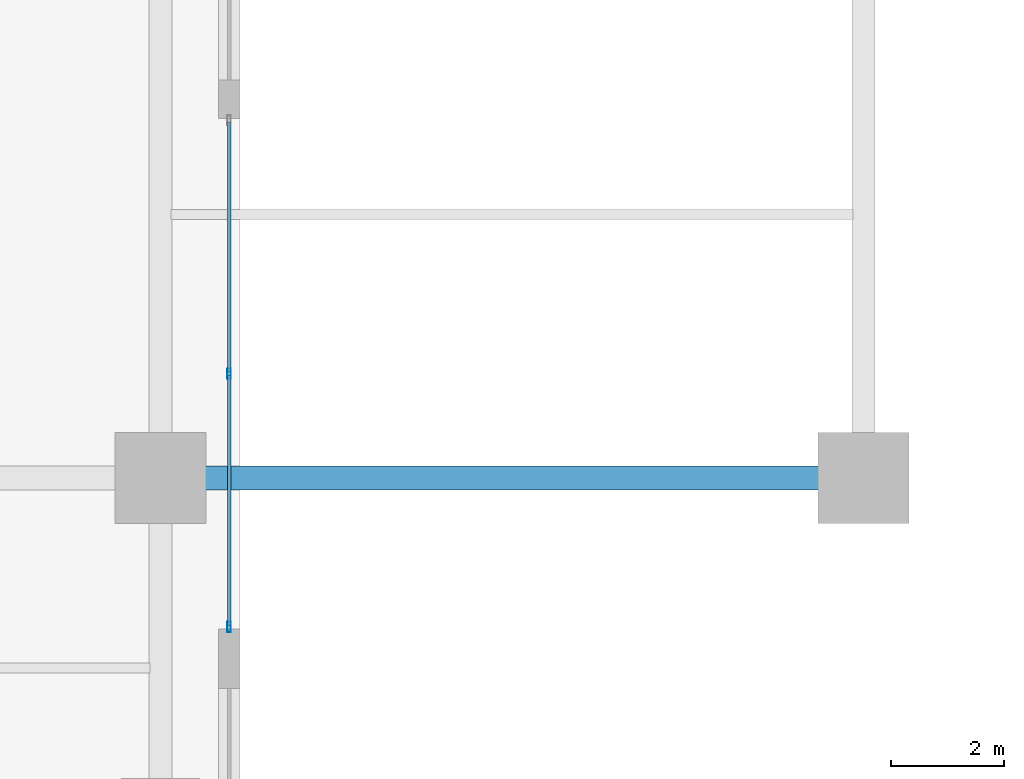
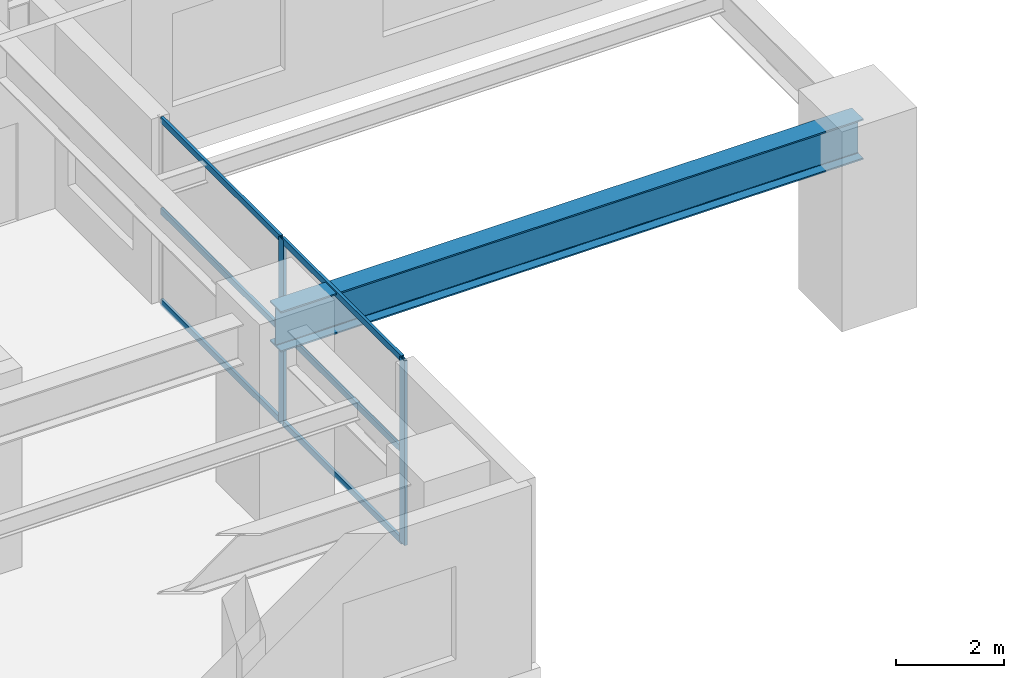
# One storey, part 2 of 26: 8 members, 1 beam, 1 element without a shape of its own.
"""IFC4 building model written with IfcOpenShell, lengths in metres."""

from ifc_helpers import new_model, si_unit, direction, frame, origin, origin_2d, place, context, subcontext, project, spatial, hollow_rectangle, i_section, extrude, source, transform, mapped, material, layer, layer_set, material_profile, profile_set, type_object, element, aggregate, save


model = new_model("IFC4")

# Units and contexts
model_context = context("Model", 3, precision=1e-05, world=origin(), true_north=direction((0.0, 1.0)))
body_context = subcontext(model_context, "Body", "Model", "MODEL_VIEW")
ifc_project = project(units=[si_unit("LENGTHUNIT", "METRE"), si_unit("AREAUNIT", "SQUARE_METRE"), si_unit("VOLUMEUNIT", "CUBIC_METRE"), si_unit("PLANEANGLEUNIT", "RADIAN"), si_unit("MASSUNIT", "GRAM", prefix="KILO")], contexts=[model_context])

# Site, building, storey
site_placement = place(None, origin())
site = spatial("IfcSite", under=ifc_project, at=site_placement, CompositionType="ELEMENT")
building_placement = place(site_placement, origin())
building = spatial("IfcBuilding", under=site, at=building_placement, Name="Khoralis Quay Care Tower", CompositionType="ELEMENT")
storey_placement = place(building_placement, frame((0.0, 0.0, 13.5)))
storey = spatial("IfcBuildingStorey", under=building, at=storey_placement, Name="L03", CompositionType="ELEMENT", Elevation=13.5)

# Beam
ifc_material_1 = material(Name="Steel S355", Category="steel")
ifc_material_profile_1 = material_profile(ifc_material_1, i_section(OverallWidth=0.41796875, OverallDepth=0.912109375, WebThickness=0.019287109375, FlangeThickness=0.031982421875, FilletRadius=0.02392578125, at=origin_2d()), Name="Steel S355")
ifc_profile_set_1 = profile_set([ifc_material_profile_1], Name="Steel S355")
beam_type = type_object("IfcBeamType", Name="BM-W920X342", PredefinedType="BEAM", material=ifc_profile_set_1)
shared_shape_1 = source(origin(), body_context, "Body", "SweptSolid", [
    extrude(i_section(OverallWidth=0.41796875, OverallDepth=0.912109375, WebThickness=0.019287109375, FlangeThickness=0.031982421875, FilletRadius=0.02392578125, at=origin_2d()), origin(), (0.0, 0.0, 1.0), 12.39990234375),
])
beam_placement = place(storey_placement, frame((34.60009765625, 1.35009765625, 3.7041015625), z_axis=(1.0, 0.0, 0.0), x_axis=(0.0, 1.0, 0.0)))
element("IfcBeam", 1, at=beam_placement, inside=storey, type_object=beam_type, Name="BM-PODX-L03-07", PredefinedType="BEAM", context=body_context, shape_type="MappedRepresentation", body=[
    mapped(shared_shape_1, transform((0.0, 0.0, 0.0), scale=1.0)),
])

# Curtain wall, members
ifc_material_2 = material(Name="Pale anodised aluminium", Category="aluminium")
ifc_layer = layer(ifc_material_2, 0.179931640625)
ifc_layer_set = layer_set([ifc_layer], Name="Pale anodised aluminium")
curtain_wall_type = type_object("IfcCurtainWallType", Name="CW-SYS-Z1", PredefinedType="NOTDEFINED", material=ifc_layer_set)
curtain_wall_placement = place(storey_placement, origin())
curtain_wall = element("IfcCurtainWall", 2, at=curtain_wall_placement, inside=storey, type_object=curtain_wall_type, Name="L03 Unitised Curtain Wall CW-POD-L03-E1", PredefinedType="NOTDEFINED")
ifc_material_profile_2 = material_profile(ifc_material_2, hollow_rectangle(XDim=0.06494140625, YDim=0.179931640625, WallThickness=0.00390625, at=origin_2d()), Name="Pale anodised aluminium")
ifc_profile_set_2 = profile_set([ifc_material_profile_2], Name="Pale anodised aluminium")
member_type_1 = type_object("IfcMemberType", Name="CW-MUL-180", PredefinedType="MULLION", material=ifc_profile_set_2)
shared_shape_2 = source(origin(), body_context, "Body", "SweptSolid", [
    extrude(hollow_rectangle(XDim=0.06494140625, YDim=0.179931640625, WallThickness=0.00390625, at=origin_2d()), origin(), (0.0, 0.0, 1.0), 4.159912109375),
])
member_1_placement = place(storey_placement, frame((35.81005859375, -1.280029296875, 0.0), z_axis=(0.0, 0.0, 1.0), x_axis=(-1.0, 0.0, 0.0)))
member_1 = element("IfcMember", 3, at=member_1_placement, type_object=member_type_1, Name="CW1 mullion 1", PredefinedType="MULLION", context=body_context, shape_type="MappedRepresentation", body=[
    mapped(shared_shape_2, transform((0.0, 0.0, 0.0), scale=1.0)),
])
member_2_placement = place(storey_placement, frame((35.81005859375, 3.18994140625, 0.0), z_axis=(0.0, 0.0, 1.0), x_axis=(-1.0, 0.0, 0.0)))
member_2 = element("IfcMember", 4, at=member_2_placement, type_object=member_type_1, Name="CW1 mullion 2", PredefinedType="MULLION", context=body_context, shape_type="MappedRepresentation", body=[
    mapped(shared_shape_2, transform((0.0, 0.0, 0.0), scale=1.0)),
])
ifc_material_profile_3 = material_profile(ifc_material_2, hollow_rectangle(XDim=0.06005859375, YDim=0.139892578125, WallThickness=0.00390625, at=origin_2d()), Name="Pale anodised aluminium")
ifc_profile_set_3 = profile_set([ifc_material_profile_3], Name="Pale anodised aluminium")
member_type_2 = type_object("IfcMemberType", Name="CW-TRN-140", PredefinedType="USERDEFINED", material=ifc_profile_set_3)
shared_shape_3 = source(origin(), body_context, "Body", "SweptSolid", [
    extrude(hollow_rectangle(XDim=0.06005859375, YDim=0.139892578125, WallThickness=0.00390625, at=origin_2d()), origin(), (0.0, 0.0, 1.0), 4.409912109375),
])
member_3_placement = place(storey_placement, frame((35.81005859375, -1.25, 0.030029296875), z_axis=(0.0, 1.0, 0.0), x_axis=(-1.0, 0.0, 0.0)))
member_3 = element("IfcMember", 5, at=member_3_placement, type_object=member_type_2, Name="CW1 transom 1.1", ObjectType="TRANSOM", PredefinedType="USERDEFINED", context=body_context, shape_type="MappedRepresentation", body=[
    mapped(shared_shape_3, transform((0.0, 0.0, 0.0), scale=1.0)),
])
member_4_placement = place(storey_placement, frame((35.81005859375, -1.25, 2.080078125), z_axis=(0.0, 1.0, 0.0), x_axis=(-1.0, 0.0, 0.0)))
member_4 = element("IfcMember", 6, at=member_4_placement, type_object=member_type_2, Name="CW1 transom 1.2", ObjectType="TRANSOM", PredefinedType="USERDEFINED", context=body_context, shape_type="MappedRepresentation", body=[
    mapped(shared_shape_3, transform((0.0, 0.0, 0.0), scale=1.0)),
])
member_5_placement = place(storey_placement, frame((35.81005859375, -1.25, 4.1298828125), z_axis=(0.0, 1.0, 0.0), x_axis=(-1.0, 0.0, 0.0)))
member_5 = element("IfcMember", 7, at=member_5_placement, type_object=member_type_2, Name="CW1 transom 1.3", ObjectType="TRANSOM", PredefinedType="USERDEFINED", context=body_context, shape_type="MappedRepresentation", body=[
    mapped(shared_shape_3, transform((0.0, 0.0, 0.0), scale=1.0)),
])
member_6_placement = place(storey_placement, frame((35.81005859375, 3.219970703125, 0.030029296875), z_axis=(0.0, 1.0, 0.0), x_axis=(-1.0, 0.0, 0.0)))
member_6 = element("IfcMember", 8, at=member_6_placement, type_object=member_type_2, Name="CW1 transom 2.1", ObjectType="TRANSOM", PredefinedType="USERDEFINED", context=body_context, shape_type="MappedRepresentation", body=[
    mapped(shared_shape_3, transform((0.0, 0.0, 0.0), scale=1.0)),
])
member_7_placement = place(storey_placement, frame((35.81005859375, 3.219970703125, 2.080078125), z_axis=(0.0, 1.0, 0.0), x_axis=(-1.0, 0.0, 0.0)))
member_7 = element("IfcMember", 9, at=member_7_placement, type_object=member_type_2, Name="CW1 transom 2.2", ObjectType="TRANSOM", PredefinedType="USERDEFINED", context=body_context, shape_type="MappedRepresentation", body=[
    mapped(shared_shape_3, transform((0.0, 0.0, 0.0), scale=1.0)),
])
member_8_placement = place(storey_placement, frame((35.81005859375, 3.219970703125, 4.1298828125), z_axis=(0.0, 1.0, 0.0), x_axis=(-1.0, 0.0, 0.0)))
member_8 = element("IfcMember", 10, at=member_8_placement, type_object=member_type_2, Name="CW1 transom 2.3", ObjectType="TRANSOM", PredefinedType="USERDEFINED", context=body_context, shape_type="MappedRepresentation", body=[
    mapped(shared_shape_3, transform((0.0, 0.0, 0.0), scale=1.0)),
])
aggregate(curtain_wall, [member_1, member_2, member_3, member_4, member_5, member_6, member_7, member_8])

save(model, "model.ifc")
